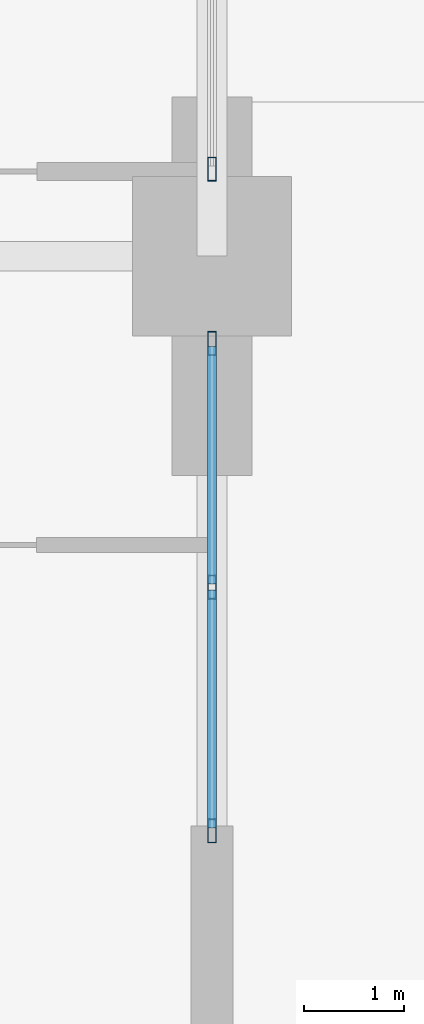
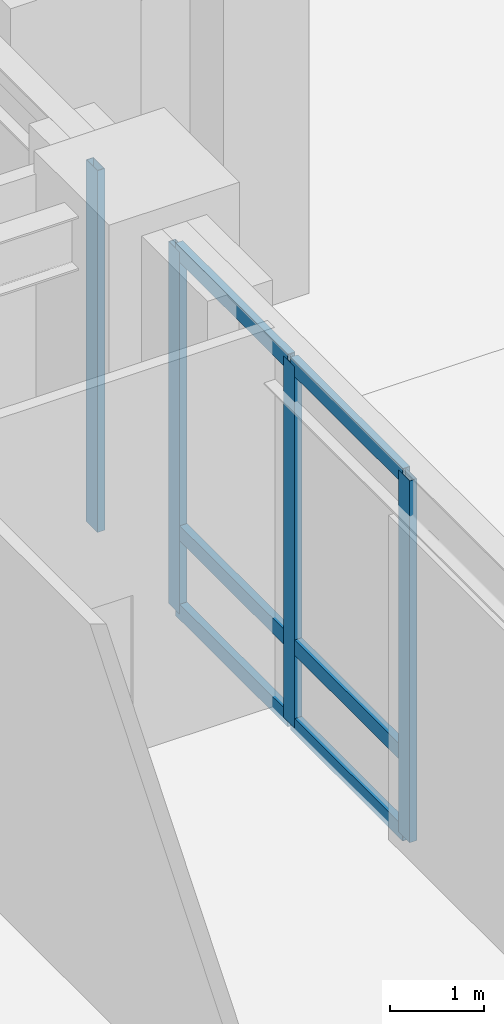
# One storey, part 2 of 23: 10 members, 2 elements without a shape of their own.
"""IFC4 building model written with IfcOpenShell, lengths in metres."""

from ifc_helpers import new_model, si_unit, direction, frame, origin, origin_2d, place, context, subcontext, project, spatial, hollow_rectangle, extrude, material, layer, layer_set, material_profile, profile_set, type_object, element, aggregate, save


model = new_model("IFC4")

# Units and contexts
model_context = context("Model", 3, precision=1e-05, world=origin(), true_north=direction((0.0, 1.0)))
body_context = subcontext(model_context, "Body", "Model", "MODEL_VIEW")
ifc_project = project(units=[si_unit("LENGTHUNIT", "METRE"), si_unit("AREAUNIT", "SQUARE_METRE"), si_unit("VOLUMEUNIT", "CUBIC_METRE"), si_unit("PLANEANGLEUNIT", "RADIAN"), si_unit("MASSUNIT", "GRAM", prefix="KILO")], contexts=[model_context])

# Site, building, storey
site_placement = place(None, origin())
site = spatial("IfcSite", under=ifc_project, at=site_placement, CompositionType="ELEMENT")
building_placement = place(site_placement, origin())
building = spatial("IfcBuilding", under=site, at=building_placement, Name="Voryun Gate Residences", CompositionType="ELEMENT")
storey_placement = place(building_placement, origin())
storey = spatial("IfcBuildingStorey", under=building, at=storey_placement, Name="L00", CompositionType="ELEMENT", Elevation=0.0)

# Curtain wall, members
ifc_material_1 = material(Name="Anodised aluminium", Category="aluminium")
ifc_layer = layer(ifc_material_1, 0.239990234375, Name="CW_SYS_ARCH_DARK_GLASS")
ifc_layer_set = layer_set([ifc_layer], Name="Anodised aluminium")
curtain_wall_type = type_object("IfcCurtainWallType", Name="CW_SYS_ARCH_DARK_GLASS", PredefinedType="NOTDEFINED", material=ifc_layer_set)
curtain_wall_1_placement = place(storey_placement, origin())
curtain_wall_1 = element("IfcCurtainWall", 1, at=curtain_wall_1_placement, inside=storey, type_object=curtain_wall_type, Name="Curtain wall CW2-L00-WP-S", PredefinedType="NOTDEFINED")
ifc_material_2 = material(Name="Anodised aluminium", Category="aluminium")
ifc_material_profile_1 = material_profile(ifc_material_2, hollow_rectangle(XDim=0.090087890625, YDim=0.239990234375, WallThickness=0.006103515625, at=origin_2d()), Name="ALU-MULL-240x90x6")
ifc_profile_set_1 = profile_set([ifc_material_profile_1], Name="Anodised aluminium")
member_type_1 = type_object("IfcMemberType", Name="CW_MULL_ARCH", PredefinedType="MULLION", material=ifc_profile_set_1)
member_1_placement = place(storey_placement, frame((-13.5, -17.169921875, 0.0), z_axis=(0.0, 0.0, 1.0), x_axis=(-1.0, 0.0, 0.0)))
member_1 = element("IfcMember", 2, at=member_1_placement, type_object=member_type_1, Name="CW2 mullion 1", PredefinedType="MULLION", context=body_context, shape_type="SweptSolid", body=[
    extrude(hollow_rectangle(XDim=0.090087890625, YDim=0.239990234375, WallThickness=0.006103515625, at=origin_2d()), origin(), (0.0, 0.0, 1.0), 4.699951171875),
])
member_2_placement = place(storey_placement, frame((-13.5, -14.722412109375, 0.0), z_axis=(0.0, 0.0, 1.0), x_axis=(-1.0, 0.0, 0.0)))
member_2 = element("IfcMember", 3, at=member_2_placement, type_object=member_type_1, Name="CW2 mullion 2", PredefinedType="MULLION", context=body_context, shape_type="SweptSolid", body=[
    extrude(hollow_rectangle(XDim=0.090087890625, YDim=0.239990234375, WallThickness=0.006103515625, at=origin_2d()), origin(), (0.0, 0.0, 1.0), 4.699951171875),
])
member_3_placement = place(storey_placement, frame((-13.5, -12.27490234375, 0.0), z_axis=(0.0, 0.0, 1.0), x_axis=(-1.0, 0.0, 0.0)))
member_3 = element("IfcMember", 4, at=member_3_placement, type_object=member_type_1, Name="CW2 mullion 3", PredefinedType="MULLION", context=body_context, shape_type="SweptSolid", body=[
    extrude(hollow_rectangle(XDim=0.090087890625, YDim=0.239990234375, WallThickness=0.006103515625, at=origin_2d()), origin(), (0.0, 0.0, 1.0), 4.699951171875),
])

# Curtain wall, member
curtain_wall_2_placement = place(storey_placement, origin())
curtain_wall_2 = element("IfcCurtainWall", 5, at=curtain_wall_2_placement, inside=storey, type_object=curtain_wall_type, Name="Curtain wall CW2-L00-WP-M", PredefinedType="NOTDEFINED")
member_4_placement = place(storey_placement, frame((-13.5, -10.52490234375, 0.0), z_axis=(0.0, 0.0, 1.0), x_axis=(-1.0, 0.0, 0.0)))
member_4 = element("IfcMember", 6, at=member_4_placement, type_object=member_type_1, Name="CW2 mullion 1", PredefinedType="MULLION", context=body_context, shape_type="SweptSolid", body=[
    extrude(hollow_rectangle(XDim=0.090087890625, YDim=0.239990234375, WallThickness=0.006103515625, at=origin_2d()), origin(), (0.0, 0.0, 1.0), 4.699951171875),
])
aggregate(curtain_wall_2, [member_4])

# Member
ifc_material_3 = material(Name="Anodised aluminium", Category="aluminium")
ifc_material_profile_2 = material_profile(ifc_material_3, hollow_rectangle(XDim=0.090087890625, YDim=0.199951171875, WallThickness=0.006103515625, at=origin_2d()), Name="ALU-TRAN-200x90x6")
ifc_profile_set_2 = profile_set([ifc_material_profile_2], Name="Anodised aluminium")
member_type_2 = type_object("IfcMemberType", Name="CW_TRAN_ARCH", PredefinedType="USERDEFINED", material=ifc_profile_set_2)
member_5_placement = place(storey_placement, frame((-13.5, -17.139892578125, 0.030029296875), z_axis=(0.0, 1.0, 0.0), x_axis=(-1.0, 0.0, 0.0)))
member_5 = element("IfcMember", 7, at=member_5_placement, type_object=member_type_2, Name="CW2 transom 1.1", ObjectType="TRANSOM", PredefinedType="USERDEFINED", context=body_context, shape_type="SweptSolid", body=[
    extrude(hollow_rectangle(XDim=0.090087890625, YDim=0.199951171875, WallThickness=0.006103515625, at=origin_2d()), origin(), (0.0, 0.0, 1.0), 2.387451171875),
])

member_6_placement = place(storey_placement, frame((-13.5, -17.139892578125, 1.050048828125), z_axis=(0.0, 1.0, 0.0), x_axis=(-1.0, 0.0, 0.0)))
member_6 = element("IfcMember", 8, at=member_6_placement, type_object=member_type_2, Name="CW2 transom 1.2", ObjectType="TRANSOM", PredefinedType="USERDEFINED", context=body_context, shape_type="SweptSolid", body=[
    extrude(hollow_rectangle(XDim=0.090087890625, YDim=0.199951171875, WallThickness=0.006103515625, at=origin_2d()), origin(), (0.0, 0.0, 1.0), 2.387451171875),
])

member_7_placement = place(storey_placement, frame((-13.5, -17.139892578125, 4.669921875), z_axis=(0.0, 1.0, 0.0), x_axis=(-1.0, 0.0, 0.0)))
member_7 = element("IfcMember", 9, at=member_7_placement, type_object=member_type_2, Name="CW2 transom 1.3", ObjectType="TRANSOM", PredefinedType="USERDEFINED", context=body_context, shape_type="SweptSolid", body=[
    extrude(hollow_rectangle(XDim=0.090087890625, YDim=0.199951171875, WallThickness=0.006103515625, at=origin_2d()), origin(), (0.0, 0.0, 1.0), 2.387451171875),
])

member_8_placement = place(storey_placement, frame((-13.5, -14.6923828125, 0.030029296875), z_axis=(0.0, 1.0, 0.0), x_axis=(-1.0, 0.0, 0.0)))
member_8 = element("IfcMember", 10, at=member_8_placement, type_object=member_type_2, Name="CW2 transom 2.1", ObjectType="TRANSOM", PredefinedType="USERDEFINED", context=body_context, shape_type="SweptSolid", body=[
    extrude(hollow_rectangle(XDim=0.090087890625, YDim=0.199951171875, WallThickness=0.006103515625, at=origin_2d()), origin(), (0.0, 0.0, 1.0), 2.387451171875),
])

member_9_placement = place(storey_placement, frame((-13.5, -14.6923828125, 1.050048828125), z_axis=(0.0, 1.0, 0.0), x_axis=(-1.0, 0.0, 0.0)))
member_9 = element("IfcMember", 11, at=member_9_placement, type_object=member_type_2, Name="CW2 transom 2.2", ObjectType="TRANSOM", PredefinedType="USERDEFINED", context=body_context, shape_type="SweptSolid", body=[
    extrude(hollow_rectangle(XDim=0.090087890625, YDim=0.199951171875, WallThickness=0.006103515625, at=origin_2d()), origin(), (0.0, 0.0, 1.0), 2.387451171875),
])

member_10_placement = place(storey_placement, frame((-13.5, -14.6923828125, 4.669921875), z_axis=(0.0, 1.0, 0.0), x_axis=(-1.0, 0.0, 0.0)))
member_10 = element("IfcMember", 12, at=member_10_placement, type_object=member_type_2, Name="CW2 transom 2.3", ObjectType="TRANSOM", PredefinedType="USERDEFINED", context=body_context, shape_type="SweptSolid", body=[
    extrude(hollow_rectangle(XDim=0.090087890625, YDim=0.199951171875, WallThickness=0.006103515625, at=origin_2d()), origin(), (0.0, 0.0, 1.0), 2.387451171875),
])

aggregate(curtain_wall_1, [member_1, member_2, member_3, member_5, member_6, member_7, member_8, member_9, member_10])

save(model, "model.ifc")
